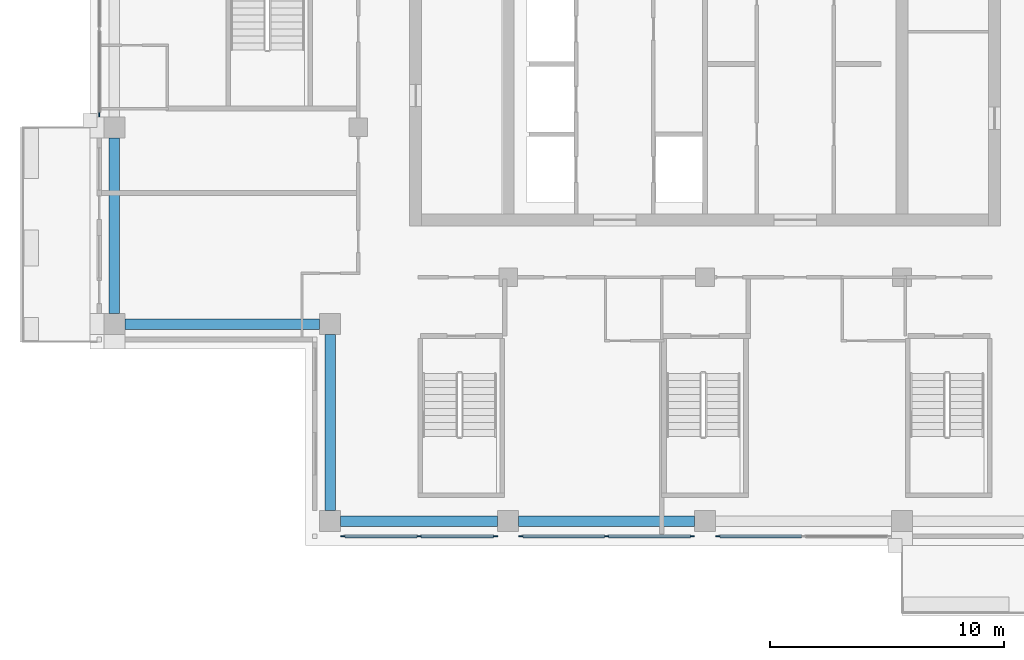
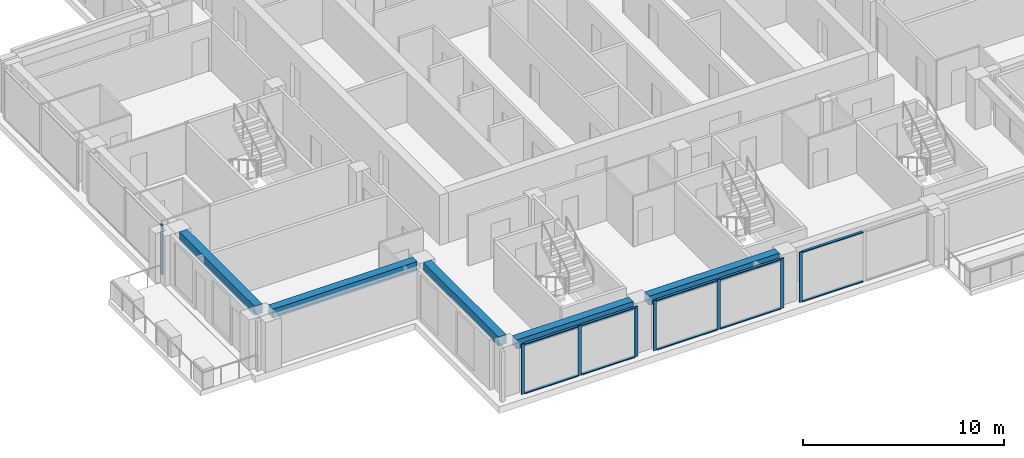
# One storey, part 2 of 19: 18 members, 5 beams, 4 elements without a shape of their own.
"""IFC4 building model written with IfcOpenShell, lengths in metres."""

from ifc_helpers import new_model, si_unit, direction, frame, origin, origin_2d, place, context, subcontext, project, spatial, rectangle, extrude, material, material_profile, profile_set, type_object, element, aggregate, save


model = new_model("IFC4")

# Units and contexts
model_context = context("Model", 3, precision=1e-05, world=origin(), true_north=direction((0.0, 1.0)))
body_context = subcontext(model_context, "Body", "Model", "MODEL_VIEW")
ifc_project = project(units=[si_unit("LENGTHUNIT", "METRE"), si_unit("AREAUNIT", "SQUARE_METRE"), si_unit("VOLUMEUNIT", "CUBIC_METRE"), si_unit("PLANEANGLEUNIT", "RADIAN"), si_unit("MASSUNIT", "GRAM", prefix="KILO")], contexts=[model_context])

# Site, building, storey
site_placement = place(None, origin())
site = spatial("IfcSite", under=ifc_project, at=site_placement, CompositionType="ELEMENT")
building_placement = place(site_placement, origin())
building = spatial("IfcBuilding", under=site, at=building_placement, Name="Vermilion Ogive Tower", CompositionType="ELEMENT")
storey_placement = place(building_placement, frame((0.0, 0.0, 226.89990234375)))
storey = spatial("IfcBuildingStorey", under=building, at=storey_placement, Name="L59", CompositionType="ELEMENT", Elevation=226.89990234375)

# Curtain wall, members
ifc_material_1 = material(Name="Low-iron laminated glazing in aluminium frame", Category="aluminium")
curtain_wall_type = type_object("IfcCurtainWallType", Name="Curtain wall CW7", PredefinedType="NOTDEFINED", material=ifc_material_1)
curtain_wall_1_placement = place(storey_placement, origin())
curtain_wall_1 = element("IfcCurtainWall", 1, at=curtain_wall_1_placement, inside=storey, type_object=curtain_wall_type, Name="Glazed skin S1", PredefinedType="NOTDEFINED")
ifc_material_2 = material(Name="Aluminium mullion", Category="aluminium")
ifc_material_profile_1 = material_profile(ifc_material_2, rectangle(XDim=0.06005859375, YDim=0.179931640625, at=origin_2d()), Name="AL 60x180")
ifc_profile_set_1 = profile_set([ifc_material_profile_1], Name="Aluminium mullion")
member_type_1 = type_object("IfcMemberType", Name="CW7 mullion 60x180", PredefinedType="MULLION", material=ifc_profile_set_1)
member_1_placement = place(storey_placement, frame((-15.4599609375, -21.64990234375, 0.0), z_axis=(0.0, 0.0, 1.0), x_axis=(0.0, 1.0, 0.0)))
member_1 = element("IfcMember", 2, at=member_1_placement, type_object=member_type_1, Name="CW7-S1 mullion 1", PredefinedType="MULLION", context=body_context, shape_type="SweptSolid", body=[
    extrude(rectangle(XDim=0.06005859375, YDim=0.179931640625, at=origin_2d()), origin(), (0.0, 0.0, 1.0), 3.050048828125),
])
member_2_placement = place(storey_placement, frame((-12.199951171875, -21.64990234375, 0.0), z_axis=(0.0, 0.0, 1.0), x_axis=(0.0, 1.0, 0.0)))
member_2 = element("IfcMember", 3, at=member_2_placement, type_object=member_type_1, Name="CW7-S1 mullion 2", PredefinedType="MULLION", context=body_context, shape_type="SweptSolid", body=[
    extrude(rectangle(XDim=0.06005859375, YDim=0.179931640625, at=origin_2d()), origin(), (0.0, 0.0, 1.0), 3.050048828125),
])
member_3_placement = place(storey_placement, frame((-8.93994140625, -21.64990234375, 0.0), z_axis=(0.0, 0.0, 1.0), x_axis=(0.0, 1.0, 0.0)))
member_3 = element("IfcMember", 4, at=member_3_placement, type_object=member_type_1, Name="CW7-S1 mullion 3", PredefinedType="MULLION", context=body_context, shape_type="SweptSolid", body=[
    extrude(rectangle(XDim=0.06005859375, YDim=0.179931640625, at=origin_2d()), origin(), (0.0, 0.0, 1.0), 3.050048828125),
])

curtain_wall_2_placement = place(storey_placement, origin())
curtain_wall_2 = element("IfcCurtainWall", 5, at=curtain_wall_2_placement, inside=storey, type_object=curtain_wall_type, Name="Glazed skin S2", PredefinedType="NOTDEFINED")
member_4_placement = place(storey_placement, frame((-7.860107421875, -21.64990234375, 0.0), z_axis=(0.0, 0.0, 1.0), x_axis=(0.0, 1.0, 0.0)))
member_4 = element("IfcMember", 6, at=member_4_placement, type_object=member_type_1, Name="CW7-S2 mullion 1", PredefinedType="MULLION", context=body_context, shape_type="SweptSolid", body=[
    extrude(rectangle(XDim=0.06005859375, YDim=0.179931640625, at=origin_2d()), origin(), (0.0, 0.0, 1.0), 3.050048828125),
])
member_5_placement = place(storey_placement, frame((-4.199951171875, -21.64990234375, 0.0), z_axis=(0.0, 0.0, 1.0), x_axis=(0.0, 1.0, 0.0)))
member_5 = element("IfcMember", 7, at=member_5_placement, type_object=member_type_1, Name="CW7-S2 mullion 2", PredefinedType="MULLION", context=body_context, shape_type="SweptSolid", body=[
    extrude(rectangle(XDim=0.06005859375, YDim=0.179931640625, at=origin_2d()), origin(), (0.0, 0.0, 1.0), 3.050048828125),
])
member_6_placement = place(storey_placement, frame((-0.5400390625, -21.64990234375, 0.0), z_axis=(0.0, 0.0, 1.0), x_axis=(0.0, 1.0, 0.0)))
member_6 = element("IfcMember", 8, at=member_6_placement, type_object=member_type_1, Name="CW7-S2 mullion 3", PredefinedType="MULLION", context=body_context, shape_type="SweptSolid", body=[
    extrude(rectangle(XDim=0.06005859375, YDim=0.179931640625, at=origin_2d()), origin(), (0.0, 0.0, 1.0), 3.050048828125),
])

# Curtain wall, member
curtain_wall_3_placement = place(storey_placement, origin())
curtain_wall_3 = element("IfcCurtainWall", 9, at=curtain_wall_3_placement, inside=storey, type_object=curtain_wall_type, Name="Glazed skin S3", PredefinedType="NOTDEFINED")
member_7_placement = place(storey_placement, frame((0.5400390625, -21.64990234375, 0.0), z_axis=(0.0, 0.0, 1.0), x_axis=(0.0, 1.0, 0.0)))
member_7 = element("IfcMember", 10, at=member_7_placement, type_object=member_type_1, Name="CW7-S3 mullion 1", PredefinedType="MULLION", context=body_context, shape_type="SweptSolid", body=[
    extrude(rectangle(XDim=0.06005859375, YDim=0.179931640625, at=origin_2d()), origin(), (0.0, 0.0, 1.0), 3.050048828125),
])

curtain_wall_4_placement = place(storey_placement, origin())
curtain_wall_4 = element("IfcCurtainWall", 11, at=curtain_wall_4_placement, inside=storey, type_object=curtain_wall_type, Name="Glazed skin W2", PredefinedType="NOTDEFINED")
member_8_placement = place(storey_placement, frame((-25.85009765625, -3.659912109375, 0.0), z_axis=(0.0, 0.0, 1.0), x_axis=(1.0, 0.0, 0.0)))
member_8 = element("IfcMember", 12, at=member_8_placement, type_object=member_type_1, Name="CW7-W2 mullion 3", PredefinedType="MULLION", context=body_context, shape_type="SweptSolid", body=[
    extrude(rectangle(XDim=0.06005859375, YDim=0.179931640625, at=origin_2d()), origin(), (0.0, 0.0, 1.0), 3.050048828125),
])
aggregate(curtain_wall_4, [member_8])

# Member
ifc_material_3 = material(Name="Aluminium transom", Category="aluminium")
ifc_material_profile_2 = material_profile(ifc_material_3, rectangle(XDim=0.139892578125, YDim=0.06005859375, at=origin_2d()), Name="AL 60x140")
ifc_profile_set_2 = profile_set([ifc_material_profile_2], Name="Aluminium transom")
member_type_2 = type_object("IfcMemberType", Name="CW7 transom 60x140", PredefinedType="USERDEFINED", material=ifc_profile_set_2)
member_9_placement = place(storey_placement, frame((-15.3701171875, -21.64990234375, 0.030029296875), z_axis=(1.0, 0.0, 0.0), x_axis=(0.0, 1.0, 0.0)))
member_9 = element("IfcMember", 13, at=member_9_placement, type_object=member_type_2, Name="CW7-S1 transom 1.1", ObjectType="TRANSOM", PredefinedType="USERDEFINED", context=body_context, shape_type="SweptSolid", body=[
    extrude(rectangle(XDim=0.139892578125, YDim=0.06005859375, at=origin_2d()), origin(), (0.0, 0.0, 1.0), 3.080078125),
])

member_10_placement = place(storey_placement, frame((-15.3701171875, -21.64990234375, 3.02001953125), z_axis=(1.0, 0.0, 0.0), x_axis=(0.0, 1.0, 0.0)))
member_10 = element("IfcMember", 14, at=member_10_placement, type_object=member_type_2, Name="CW7-S1 transom 1.2", ObjectType="TRANSOM", PredefinedType="USERDEFINED", context=body_context, shape_type="SweptSolid", body=[
    extrude(rectangle(XDim=0.139892578125, YDim=0.06005859375, at=origin_2d()), origin(), (0.0, 0.0, 1.0), 3.080078125),
])

member_11_placement = place(storey_placement, frame((-12.110107421875, -21.64990234375, 0.030029296875), z_axis=(1.0, 0.0, 0.0), x_axis=(0.0, 1.0, 0.0)))
member_11 = element("IfcMember", 15, at=member_11_placement, type_object=member_type_2, Name="CW7-S1 transom 2.1", ObjectType="TRANSOM", PredefinedType="USERDEFINED", context=body_context, shape_type="SweptSolid", body=[
    extrude(rectangle(XDim=0.139892578125, YDim=0.06005859375, at=origin_2d()), origin(), (0.0, 0.0, 1.0), 3.080078125),
])

member_12_placement = place(storey_placement, frame((-12.110107421875, -21.64990234375, 3.02001953125), z_axis=(1.0, 0.0, 0.0), x_axis=(0.0, 1.0, 0.0)))
member_12 = element("IfcMember", 16, at=member_12_placement, type_object=member_type_2, Name="CW7-S1 transom 2.2", ObjectType="TRANSOM", PredefinedType="USERDEFINED", context=body_context, shape_type="SweptSolid", body=[
    extrude(rectangle(XDim=0.139892578125, YDim=0.06005859375, at=origin_2d()), origin(), (0.0, 0.0, 1.0), 3.080078125),
])

aggregate(curtain_wall_1, [member_1, member_2, member_3, member_9, member_10, member_11, member_12])

member_13_placement = place(storey_placement, frame((-7.77001953125, -21.64990234375, 0.030029296875), z_axis=(1.0, 0.0, 0.0), x_axis=(0.0, 1.0, 0.0)))
member_13 = element("IfcMember", 17, at=member_13_placement, type_object=member_type_2, Name="CW7-S2 transom 1.1", ObjectType="TRANSOM", PredefinedType="USERDEFINED", context=body_context, shape_type="SweptSolid", body=[
    extrude(rectangle(XDim=0.139892578125, YDim=0.06005859375, at=origin_2d()), origin(), (0.0, 0.0, 1.0), 3.47998046875),
])

member_14_placement = place(storey_placement, frame((-7.77001953125, -21.64990234375, 3.02001953125), z_axis=(1.0, 0.0, 0.0), x_axis=(0.0, 1.0, 0.0)))
member_14 = element("IfcMember", 18, at=member_14_placement, type_object=member_type_2, Name="CW7-S2 transom 1.2", ObjectType="TRANSOM", PredefinedType="USERDEFINED", context=body_context, shape_type="SweptSolid", body=[
    extrude(rectangle(XDim=0.139892578125, YDim=0.06005859375, at=origin_2d()), origin(), (0.0, 0.0, 1.0), 3.47998046875),
])

member_15_placement = place(storey_placement, frame((-4.110107421875, -21.64990234375, 0.030029296875), z_axis=(1.0, 0.0, 0.0), x_axis=(0.0, 1.0, 0.0)))
member_15 = element("IfcMember", 19, at=member_15_placement, type_object=member_type_2, Name="CW7-S2 transom 2.1", ObjectType="TRANSOM", PredefinedType="USERDEFINED", context=body_context, shape_type="SweptSolid", body=[
    extrude(rectangle(XDim=0.139892578125, YDim=0.06005859375, at=origin_2d()), origin(), (0.0, 0.0, 1.0), 3.480224609375),
])

member_16_placement = place(storey_placement, frame((-4.110107421875, -21.64990234375, 3.02001953125), z_axis=(1.0, 0.0, 0.0), x_axis=(0.0, 1.0, 0.0)))
member_16 = element("IfcMember", 20, at=member_16_placement, type_object=member_type_2, Name="CW7-S2 transom 2.2", ObjectType="TRANSOM", PredefinedType="USERDEFINED", context=body_context, shape_type="SweptSolid", body=[
    extrude(rectangle(XDim=0.139892578125, YDim=0.06005859375, at=origin_2d()), origin(), (0.0, 0.0, 1.0), 3.480224609375),
])

aggregate(curtain_wall_2, [member_4, member_5, member_6, member_13, member_14, member_15, member_16])

member_17_placement = place(storey_placement, frame((0.6298828125, -21.64990234375, 0.030029296875), z_axis=(1.0, 0.0, 0.0), x_axis=(0.0, 1.0, 0.0)))
member_17 = element("IfcMember", 21, at=member_17_placement, type_object=member_type_2, Name="CW7-S3 transom 1.1", ObjectType="TRANSOM", PredefinedType="USERDEFINED", context=body_context, shape_type="SweptSolid", body=[
    extrude(rectangle(XDim=0.139892578125, YDim=0.06005859375, at=origin_2d()), origin(), (0.0, 0.0, 1.0), 3.480224609375),
])

member_18_placement = place(storey_placement, frame((0.6298828125, -21.64990234375, 3.02001953125), z_axis=(1.0, 0.0, 0.0), x_axis=(0.0, 1.0, 0.0)))
member_18 = element("IfcMember", 22, at=member_18_placement, type_object=member_type_2, Name="CW7-S3 transom 1.2", ObjectType="TRANSOM", PredefinedType="USERDEFINED", context=body_context, shape_type="SweptSolid", body=[
    extrude(rectangle(XDim=0.139892578125, YDim=0.06005859375, at=origin_2d()), origin(), (0.0, 0.0, 1.0), 3.480224609375),
])

aggregate(curtain_wall_3, [member_7, member_17, member_18])

# Beams
ifc_material_4 = material(Name="Concrete B45", Category="concrete")
ifc_material_profile_3 = material_profile(ifc_material_4, rectangle(XDim=0.449951171875, YDim=0.550048828125, at=origin_2d()), Name="450 x 550")
ifc_profile_set_3 = profile_set([ifc_material_profile_3], Name="Concrete B45")
beam_type = type_object("IfcBeamType", Name="Edge beam 450 x 550 B45", PredefinedType="BEAM", material=ifc_profile_set_3)
beam_1_placement = place(storey_placement, frame((-15.550048828125, -21.0, 2.775146484375), z_axis=(1.0, 0.0, 0.0), x_axis=(0.0, 1.0, 0.0)))
element("IfcBeam", 23, at=beam_1_placement, inside=storey, type_object=beam_type, Name="L59-EB-1", PredefinedType="BEAM", context=body_context, shape_type="SweptSolid", body=[
    extrude(rectangle(XDim=0.449951171875, YDim=0.550048828125, at=origin_2d()), origin(), (0.0, 0.0, 1.0), 6.699951171875),
])
for number, where, z_axis, x_axis, name in (
    (24, (-7.949951171875, -21.0, 2.775146484375), (1.0, 0.0, 0.0), (0.0, 1.0, 0.0), "L59-EB-2"),
    (25, (-25.199951171875, -4.64990234375, 2.775146484375), (0.0, -1.0, 0.0), (1.0, 0.0, 0.0), "L59-EB-16"),
):
    element("IfcBeam", number, at=place(storey_placement, frame(where, z_axis=z_axis, x_axis=x_axis)), inside=storey, type_object=beam_type, Name=name, PredefinedType="BEAM", context=body_context, shape_type="SweptSolid", body=[
        extrude(rectangle(XDim=0.449951171875, YDim=0.550048828125, at=origin_2d()), origin(), (0.0, 0.0, 1.0), 7.5),
    ])
beam_2_placement = place(storey_placement, frame((-24.75, -12.60009765625, 2.775146484375), z_axis=(1.0, 0.0, 0.0), x_axis=(0.0, 1.0, 0.0)))
element("IfcBeam", 26, at=beam_2_placement, inside=storey, type_object=beam_type, Name="L59-EB-17", PredefinedType="BEAM", context=body_context, shape_type="SweptSolid", body=[
    extrude(rectangle(XDim=0.449951171875, YDim=0.550048828125, at=origin_2d()), origin(), (0.0, 0.0, 1.0), 8.300048828125),
])
beam_3_placement = place(storey_placement, frame((-16.0, -13.050048828125, 2.775146484375), z_axis=(0.0, -1.0, 0.0), x_axis=(1.0, 0.0, 0.0)))
element("IfcBeam", 27, at=beam_3_placement, inside=storey, type_object=beam_type, Name="L59-EB-18", PredefinedType="BEAM", context=body_context, shape_type="SweptSolid", body=[
    extrude(rectangle(XDim=0.449951171875, YDim=0.550048828125, at=origin_2d()), origin(), (0.0, 0.0, 1.0), 7.5),
])

save(model, "model.ifc")
